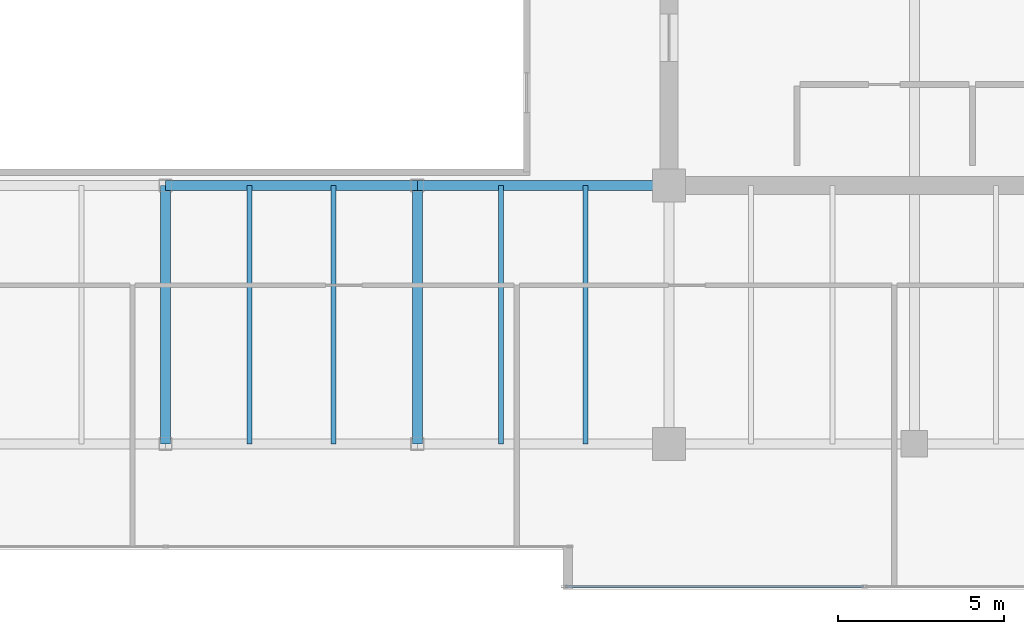
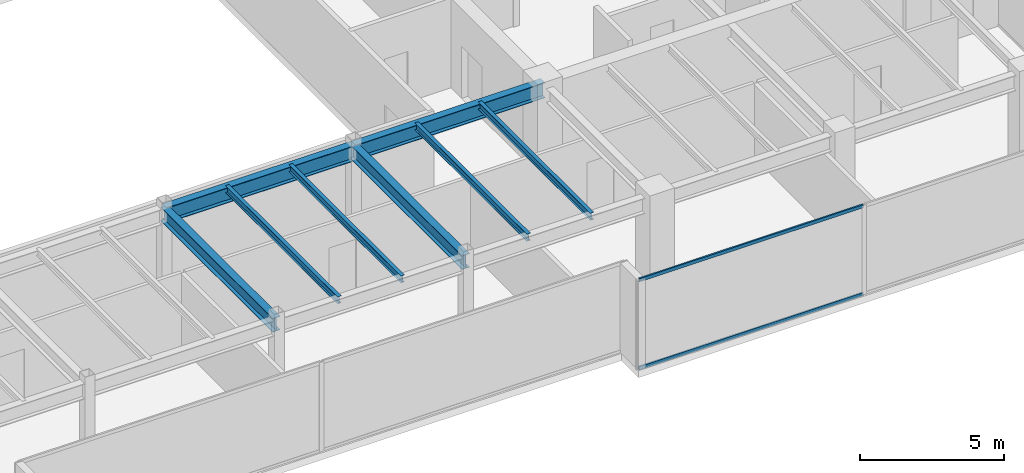
# One storey, part 12 of 33: 8 beams, 2 members, 1 element without a shape of its own.
"""IFC4 building model written with IfcOpenShell, lengths in metres."""

from ifc_helpers import new_model, si_unit, direction, frame, origin, origin_2d, place, context, subcontext, project, spatial, hollow_rectangle, i_section, extrude, source, transform, mapped, material, layer, layer_set, material_profile, profile_set, type_object, type_shapes, element, aggregate, save


model = new_model("IFC4")

# Units and contexts
model_context = context("Model", 3, precision=1e-05, world=origin(), true_north=direction((0.0, 1.0)))
body_context = subcontext(model_context, "Body", "Model", "MODEL_VIEW")
ifc_project = project(units=[si_unit("LENGTHUNIT", "METRE"), si_unit("AREAUNIT", "SQUARE_METRE"), si_unit("VOLUMEUNIT", "CUBIC_METRE"), si_unit("PLANEANGLEUNIT", "RADIAN"), si_unit("MASSUNIT", "GRAM", prefix="KILO")], contexts=[model_context])

# Site, building, storey
site_placement = place(None, origin())
site = spatial("IfcSite", under=ifc_project, at=site_placement, CompositionType="ELEMENT")
building_placement = place(site_placement, origin())
building = spatial("IfcBuilding", under=site, at=building_placement, Name="Haelvirn Gate Laboratories", CompositionType="ELEMENT")
storey_placement = place(building_placement, frame((0.0, 0.0, 238.300048828125)))
storey = spatial("IfcBuildingStorey", under=building, at=storey_placement, Name="L57", CompositionType="ELEMENT", Elevation=238.300048828125)

# Beams
ifc_material_1 = material(Name="Steel SM355", Category="steel")
ifc_material_profile_1 = material_profile(ifc_material_1, i_section(OverallWidth=0.14990234375, OverallDepth=0.300048828125, WebThickness=0.006591796875, FlangeThickness=0.009033203125, at=origin_2d()), Name="H-300x150x6.5x9")
ifc_profile_set_1 = profile_set([ifc_material_profile_1], Name="Steel SM355")
beam_type_1 = type_object("IfcBeamType", Name="BM-J-300", PredefinedType="JOIST", material=ifc_profile_set_1)
shared_shape_1 = source(origin(), body_context, "Body", "SweptSolid", [
    extrude(i_section(OverallWidth=0.14990234375, OverallDepth=0.300048828125, WebThickness=0.006591796875, FlangeThickness=0.009033203125, at=origin_2d()), origin(), (0.0, 0.0, 1.0), 7.800048828125),
])
type_shapes(beam_type_1, [shared_shape_1])
for number, where, z_axis, x_axis, name in (
    (1, (39.929931640625, 7.0, 3.64990234375), (0.0, 1.0, 0.0), (-1.0, 0.0, 0.0), "L57 Composite Lab Joist South X39.93"),
    (2, (42.469970703125, 7.0, 3.64990234375), (0.0, 1.0, 0.0), (-1.0, 0.0, 0.0), "L57 Composite Lab Joist South X42.47"),
    (3, (47.530029296875, 7.0, 3.64990234375), (0.0, 1.0, 0.0), (-1.0, 0.0, 0.0), "L57 Composite Lab Joist South X47.53"),
    (4, (50.070068359375, 7.0, 3.64990234375), (0.0, 1.0, 0.0), (-1.0, 0.0, 0.0), "L57 Composite Lab Joist South X50.07"),
):
    element("IfcBeam", number, at=place(storey_placement, frame(where, z_axis=z_axis, x_axis=x_axis)), inside=storey, type_object=beam_type_1, Name=name, PredefinedType="JOIST", context=body_context, shape_type="MappedRepresentation", body=[
        mapped(shared_shape_1, transform((0.0, 0.0, 0.0), scale=1.0)),
    ])
ifc_material_profile_2 = material_profile(ifc_material_1, i_section(OverallWidth=0.300048828125, OverallDepth=0.587890625, WebThickness=0.011962890625, FlangeThickness=0.02001953125, at=origin_2d()), Name="H-588x300x12x20")
ifc_profile_set_2 = profile_set([ifc_material_profile_2], Name="Steel SM355")
beam_type_2 = type_object("IfcBeamType", Name="BM-G-588", PredefinedType="BEAM", material=ifc_profile_set_2)
shared_shape_2 = source(origin(), body_context, "Body", "SweptSolid", [
    extrude(i_section(OverallWidth=0.300048828125, OverallDepth=0.587890625, WebThickness=0.011962890625, FlangeThickness=0.02001953125, at=origin_2d()), origin(), (0.0, 0.0, 1.0), 7.800048828125),
])
type_shapes(beam_type_2, [shared_shape_2])
for number, where, z_axis, x_axis, name in (
    (5, (37.39990234375, 7.0, 3.505859375), (0.0, 1.0, 0.0), (-1.0, 0.0, 0.0), "L57 Frame Girder X37.4 (7.0-14.8)"),
    (6, (45.0, 7.0, 3.505859375), (0.0, 1.0, 0.0), (-1.0, 0.0, 0.0), "L57 Frame Girder X45.0 (7.0-14.8)"),
):
    element("IfcBeam", number, at=place(storey_placement, frame(where, z_axis=z_axis, x_axis=x_axis)), inside=storey, type_object=beam_type_2, Name=name, PredefinedType="BEAM", context=body_context, shape_type="MappedRepresentation", body=[
        mapped(shared_shape_2, transform((0.0, 0.0, 0.0), scale=1.0)),
    ])
ifc_material_profile_3 = material_profile(ifc_material_1, i_section(OverallWidth=0.300048828125, OverallDepth=0.64990234375, WebThickness=0.012939453125, FlangeThickness=0.02197265625, at=origin_2d()), Name="H-650x300x13x22")
ifc_profile_set_3 = profile_set([ifc_material_profile_3], Name="Steel SM355")
beam_type_3 = type_object("IfcBeamType", Name="BM-G-650", PredefinedType="BEAM", material=ifc_profile_set_3)
shared_shape_3 = source(origin(), body_context, "Body", "SweptSolid", [
    extrude(i_section(OverallWidth=0.300048828125, OverallDepth=0.64990234375, WebThickness=0.012939453125, FlangeThickness=0.02197265625, at=origin_2d()), origin(), (0.0, 0.0, 1.0), 7.60009765625),
])
type_shapes(beam_type_3, [shared_shape_3])
for number, where, z_axis, x_axis, name in (
    (7, (37.39990234375, 14.800048828125, 3.474853515625), (1.0, 0.0, 0.0), (0.0, 1.0, 0.0), "L57 Primary Girder Y14.8 (37.4-45.0)"),
    (8, (45.0, 14.800048828125, 3.474853515625), (1.0, 0.0, 0.0), (0.0, 1.0, 0.0), "L57 Primary Girder Y14.8 (45.0-52.6)"),
):
    element("IfcBeam", number, at=place(storey_placement, frame(where, z_axis=z_axis, x_axis=x_axis)), inside=storey, type_object=beam_type_3, Name=name, PredefinedType="BEAM", context=body_context, shape_type="MappedRepresentation", body=[
        mapped(shared_shape_3, transform((0.0, 0.0, 0.0), scale=1.0)),
    ])

# Curtain wall, members
ifc_material_2 = material(Name="Anodised bronze unitised aluminium & triple low-E glass", Category="aluminium")
ifc_layer = layer(ifc_material_2, 0.176025390625, Name="CW-SYS-4")
ifc_layer_set = layer_set([ifc_layer], Name="Anodised bronze unitised aluminium & triple low-E glass")
curtain_wall_type = type_object("IfcCurtainWallType", Name="CW-SYS-4", PredefinedType="NOTDEFINED", material=ifc_layer_set)
curtain_wall_placement = place(storey_placement, origin())
curtain_wall = element("IfcCurtainWall", 9, at=curtain_wall_placement, inside=storey, type_object=curtain_wall_type, Name="L57 Unitised Curtain Wall CW-L57-P0-E04-1", PredefinedType="NOTDEFINED")
ifc_material_3 = material(Name="Extruded aluminium 6063-T6 (anodised bronze)", Category="aluminium")
ifc_material_profile_4 = material_profile(ifc_material_3, hollow_rectangle(XDim=0.06494140625, YDim=0.139892578125, WallThickness=0.00390625, at=origin_2d()), Name="CWT-140x65x4")
ifc_profile_set_4 = profile_set([ifc_material_profile_4], Name="Extruded aluminium 6063-T6 (anodised bronze)")
member_type = type_object("IfcMemberType", Name="CWT-T140", PredefinedType="USERDEFINED", material=ifc_profile_set_4)
shared_shape_4 = source(origin(), body_context, "Body", "SweptSolid", [
    extrude(hollow_rectangle(XDim=0.06494140625, YDim=0.139892578125, WallThickness=0.00390625, at=origin_2d()), origin(), (0.0, 0.0, 1.0), 8.9951171875),
])
type_shapes(member_type, [shared_shape_4])
member_1_placement = place(storey_placement, frame((49.469970703125, 2.699951171875, 0.032470703125), z_axis=(1.0, 0.0, 0.0), x_axis=(0.0, 1.0, 0.0)))
member_1 = element("IfcMember", 10, at=member_1_placement, type_object=member_type, Name="CW4 transom 1.1", ObjectType="TRANSOM", PredefinedType="USERDEFINED", context=body_context, shape_type="MappedRepresentation", body=[
    mapped(shared_shape_4, transform((0.0, 0.0, 0.0), scale=1.0)),
])
member_2_placement = place(storey_placement, frame((49.469970703125, 2.699951171875, 3.767333984375), z_axis=(1.0, 0.0, 0.0), x_axis=(0.0, 1.0, 0.0)))
member_2 = element("IfcMember", 11, at=member_2_placement, type_object=member_type, Name="CW4 transom 1.2", ObjectType="TRANSOM", PredefinedType="USERDEFINED", context=body_context, shape_type="MappedRepresentation", body=[
    mapped(shared_shape_4, transform((0.0, 0.0, 0.0), scale=1.0)),
])
aggregate(curtain_wall, [member_1, member_2])

save(model, "model.ifc")
